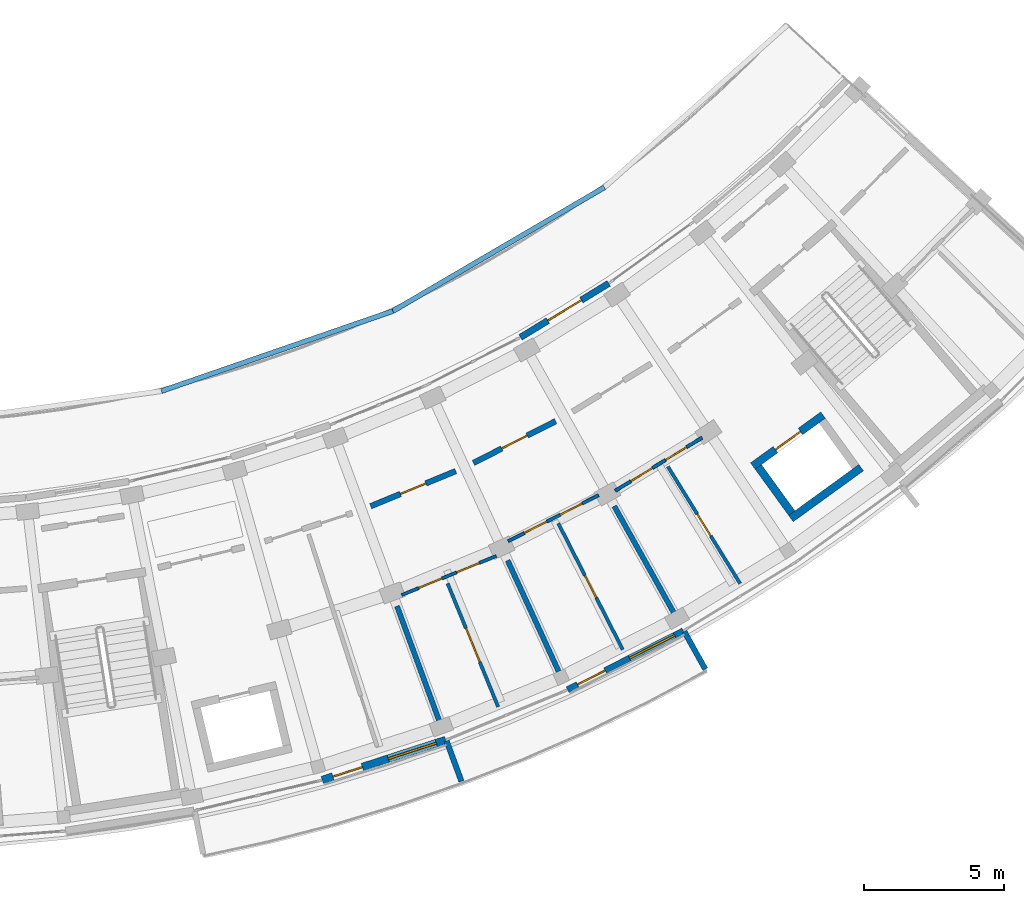
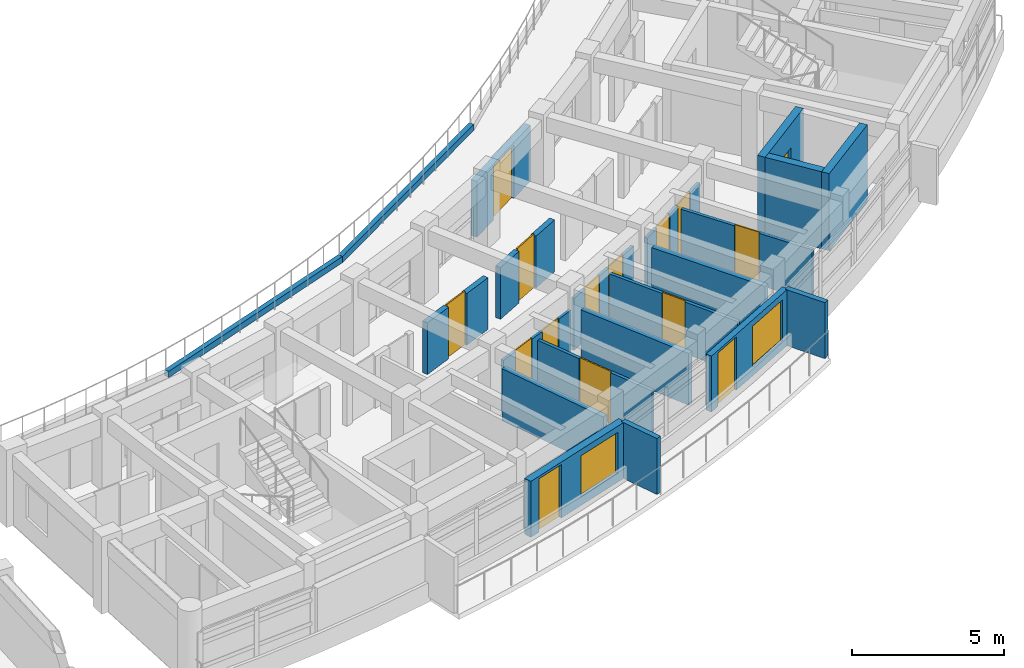
# One storey, part 38 of 54: 21 walls, 15 doors, 2 windows, 17 openings.
"""IFC4 building model written with IfcOpenShell, lengths in metres."""

from ifc_helpers import new_model, si_unit, direction, frame, frame_2d, origin, place, context, subcontext, project, spatial, rectangle, extrude, material, layer, layer_set, type_object, element, fill, save


model = new_model("IFC4")

# Units and contexts
model_context = context("Model", 3, precision=1e-05, world=origin(), true_north=direction((0.0, 1.0)))
body_context = subcontext(model_context, "Body", "Model", "MODEL_VIEW")
ifc_project = project(units=[si_unit("LENGTHUNIT", "METRE"), si_unit("AREAUNIT", "SQUARE_METRE"), si_unit("VOLUMEUNIT", "CUBIC_METRE"), si_unit("PLANEANGLEUNIT", "RADIAN"), si_unit("MASSUNIT", "GRAM", prefix="KILO")], contexts=[model_context])

# Site, building, storey
site_placement = place(None, origin())
site = spatial("IfcSite", under=ifc_project, at=site_placement, CompositionType="ELEMENT")
building_placement = place(site_placement, origin())
building = spatial("IfcBuilding", under=site, at=building_placement, Name="Zimvara Arc Housing Community", CompositionType="ELEMENT")
storey_placement = place(building_placement, frame((0.0, 0.0, 20.5)))
storey = spatial("IfcBuildingStorey", under=building, at=storey_placement, Name="L06", CompositionType="ELEMENT", Elevation=20.5)

# Wall, openings, door, window
ifc_material_1 = material(Name="Board-Marked Fair-Faced Concrete C35/45", Category="concrete")
ifc_layer_1 = layer(ifc_material_1, 0.219970703125)
ifc_layer_set_1 = layer_set([ifc_layer_1], Name="Board-Marked Fair-Faced Concrete C35/45")
wall_type_1 = type_object("IfcWallType", Name="EWL-CONC-220", PredefinedType="SOLIDWALL", material=ifc_layer_set_1)
wall_1_placement = place(storey_placement, frame((150.810791015625, 55.921875, 0.0), z_axis=(0.0, 0.0, 1.0), x_axis=(0.891407190547, 0.453203288428, 0.0)))
wall_1 = element("IfcWall", 1, at=wall_1_placement, inside=storey, type_object=wall_type_1, Name="ewall:blkD:L06:out:b5", PredefinedType="SOLIDWALL", context=body_context, shape_type="SweptSolid", body=[
    extrude(rectangle(XDim=4.62255859375, YDim=0.219970703125, at=frame_2d((2.311279296875, 0.0))), origin(), (0.0, 0.0, 1.0), 2.25),
])
opening_1_placement = place(wall_1_placement, frame((0.39990234375, 0.0, 0.0)))
opening_1 = element("IfcOpeningElement", 2, at=opening_1_placement, cuts=wall_1, Name="Opening ED06", PredefinedType="OPENING", context=body_context, shape_type="SweptSolid", body=[
    extrude(rectangle(XDim=1.10009765625, YDim=2.14990234375, at=frame_2d((0.550048828125, 1.074951171875))), frame((0.0, 0.119873046875, 0.0), z_axis=(0.0, -1.0, 0.0), x_axis=(1.0, 0.0, 0.0)), (0.0, 0.0, 1.0), 0.239990234375),
])
opening_2_placement = place(wall_1_placement, frame((2.472412109375, 0.0, 0.35009765625)))
opening_2 = element("IfcOpeningElement", 3, at=opening_2_placement, cuts=wall_1, Name="Opening W08", PredefinedType="OPENING", context=body_context, shape_type="SweptSolid", body=[
    extrude(rectangle(XDim=1.800048828125, YDim=1.64990234375, at=frame_2d((0.89990234375, 0.824951171875))), frame((0.0, 0.119873046875, 0.0), z_axis=(0.0, -1.0, 0.0), x_axis=(1.0, 0.0, 0.0)), (0.0, 0.0, 1.0), 0.239990234375),
])
ifc_material_2 = material(Name="Anodised Aluminium AW-6063", Category="aluminium")
door_type_1 = type_object("IfcDoorType", Name="EDR-TERR-1100x2150", OperationType="NOTDEFINED", PredefinedType="DOOR", material=ifc_material_2)
door_1_placement = place(opening_1_placement, origin())
door_1 = element("IfcDoor", 4, at=door_1_placement, inside=storey, type_object=door_type_1, Name="edoor:blkD:L06:bal_out:b5", OperationType="SINGLE_SWING_LEFT", OverallHeight=2.14990234375, OverallWidth=1.10009765625, PredefinedType="DOOR", context=body_context, shape_type="SweptSolid", body=[
    extrude(rectangle(XDim=1.10009765625, YDim=2.14990234375, at=frame_2d((0.550048828125, 1.074951171875))), frame((0.0, 0.02490234375, 0.0), z_axis=(0.0, -1.0, 0.0), x_axis=(1.0, 0.0, 0.0)), (0.0, 0.0, 1.0), 0.050048828125),
])
fill(opening_1, door_1)
ifc_material_3 = material(Name="Solar Control Low-E Double Glazing", Category="glass")
window_type = type_object("IfcWindowType", Name="WIN-RES-1800x1650", PartitioningType="TRIPLE_PANEL_VERTICAL", PredefinedType="WINDOW", material=ifc_material_3)
window_1_placement = place(opening_2_placement, origin())
window_1 = element("IfcWindow", 5, at=window_1_placement, inside=storey, type_object=window_type, Name="win:blkD:L06:out:b5:balw", OverallHeight=1.64990234375, OverallWidth=1.800048828125, PartitioningType="TRIPLE_PANEL_VERTICAL", PredefinedType="WINDOW", context=body_context, shape_type="SweptSolid", body=[
    extrude(rectangle(XDim=1.800048828125, YDim=1.64990234375, at=frame_2d((0.89990234375, 0.824951171875))), frame((0.0, 0.030029296875, 0.0), z_axis=(0.0, -1.0, 0.0), x_axis=(1.0, 0.0, 0.0)), (0.0, 0.0, 1.0), 0.06005859375),
])
fill(opening_2, window_1)

# Wall, opening, door
ifc_material_4 = material(Name="Board-Marked Fair-Faced Concrete C35/45", Category="concrete")
ifc_layer_2 = layer(ifc_material_4, 0.22998046875)
ifc_layer_set_2 = layer_set([ifc_layer_2], Name="Board-Marked Fair-Faced Concrete C35/45")
wall_type_2 = type_object("IfcWallType", Name="EWL-CONC-230", PredefinedType="SOLIDWALL", material=ifc_layer_set_2)
wall_2_placement = place(storey_placement, frame((149.13134765625, 68.4765625, 0.0), z_axis=(0.0, 0.0, 1.0), x_axis=(0.853122864819, 0.5217100512, 0.0)))
wall_2 = element("IfcWall", 6, at=wall_2_placement, inside=storey, type_object=wall_type_2, Name="ewall:blkD:L06:in:b6", PredefinedType="SOLIDWALL", context=body_context, shape_type="SweptSolid", body=[
    extrude(rectangle(XDim=3.683349609375, YDim=0.22998046875, at=frame_2d((1.841796875, 0.0))), origin(), (0.0, 0.0, 1.0), 2.25),
])
opening_3_placement = place(wall_2_placement, frame((1.1416015625, 0.0, 0.0)))
opening_3 = element("IfcOpeningElement", 7, at=opening_3_placement, cuts=wall_2, Name="Opening ED07", PredefinedType="OPENING", context=body_context, shape_type="SweptSolid", body=[
    extrude(rectangle(XDim=1.39990234375, YDim=2.14990234375, at=frame_2d((0.699951171875, 1.074951171875))), frame((0.0, 0.125, 0.0), z_axis=(0.0, -1.0, 0.0), x_axis=(1.0, 0.0, 0.0)), (0.0, 0.0, 1.0), 0.25),
])
ifc_material_5 = material(Name="Anodised Aluminium AW-6063", Category="aluminium")
door_type_2 = type_object("IfcDoorType", Name="EDR-TERR-1400x2150", OperationType="DOUBLE_DOOR_SINGLE_SWING", PredefinedType="DOOR", material=ifc_material_5)
door_2_placement = place(opening_3_placement, origin())
door_2 = element("IfcDoor", 8, at=door_2_placement, inside=storey, type_object=door_type_2, Name="edoor:blkD:L06:terr:b6", OperationType="DOUBLE_DOOR_SINGLE_SWING", OverallHeight=2.14990234375, OverallWidth=1.39990234375, PredefinedType="DOOR", context=body_context, shape_type="SweptSolid", body=[
    extrude(rectangle(XDim=1.39990234375, YDim=2.14990234375, at=frame_2d((0.699951171875, 1.074951171875))), frame((0.0, 0.02490234375, 0.0), z_axis=(0.0, -1.0, 0.0), x_axis=(1.0, 0.0, 0.0)), (0.0, 0.0, 1.0), 0.050048828125),
])
fill(opening_3, door_2)

# Walls
ifc_material_6 = material(Name="Board-Marked Fair-Faced Concrete C35/45", Category="concrete")
ifc_layer_3 = layer(ifc_material_6, 0.179931640625)
ifc_layer_set_3 = layer_set([ifc_layer_3], Name="Board-Marked Fair-Faced Concrete C35/45")
wall_type_3 = type_object("IfcWallType", Name="EWL-PARA-180", PredefinedType="PARAPET", material=ifc_layer_set_3)
wall_3_placement = place(storey_placement, frame((136.335205078125, 66.56103515625, 0.0), z_axis=(0.0, 0.0, 1.0), x_axis=(0.945088129205, 0.326815587199, 0.0)))
element("IfcWall", 9, at=wall_3_placement, inside=storey, type_object=wall_type_3, Name="parapet:blkD:L06:p5", PredefinedType="PARAPET", context=body_context, shape_type="SweptSolid", body=[
    extrude(rectangle(XDim=8.7275390625, YDim=0.179931640625, at=frame_2d((4.36376953125, 0.0))), origin(), (0.0, 0.0, 1.0), 0.25),
])
wall_4_placement = place(storey_placement, frame((144.58349609375, 69.413330078125, 0.0), z_axis=(0.0, 0.0, 1.0), x_axis=(0.863173571148, 0.504907304435, 0.0)))
element("IfcWall", 10, at=wall_4_placement, inside=storey, type_object=wall_type_3, Name="parapet:blkD:L06:p10", PredefinedType="PARAPET", context=body_context, shape_type="SweptSolid", body=[
    extrude(rectangle(XDim=8.727294921875, YDim=0.179931640625, at=frame_2d((4.36376953125, 0.0))), origin(), (0.0, 0.0, 1.0), 0.25),
])
ifc_material_7 = material(Name="Board-Marked Fair-Faced Concrete C35/45", Category="concrete")
ifc_layer_4 = layer(ifc_material_7, 0.195068359375)
ifc_layer_set_4 = layer_set([ifc_layer_4], Name="Board-Marked Fair-Faced Concrete C35/45")
wall_type_4 = type_object("IfcWallType", Name="EWL-PARA-195", PredefinedType="PARAPET", material=ifc_layer_set_4)
for number, where, z_axis, x_axis, name in (
    (11, (146.49755859375, 54.0947265625, 0.0), (0.0, 0.0, 1.0), (0.345328180406, -0.938481991206, 0.0), "finwall:blkD:L06:out:b4"),
    (12, (154.968505859375, 57.990966796875, 0.0), (0.0, 0.0, 1.0), (0.487971560724, -0.872859528175, 0.0), "finwall:blkD:L06:out:b6"),
):
    element("IfcWall", number, at=place(storey_placement, frame(where, z_axis=z_axis, x_axis=x_axis)), inside=storey, type_object=wall_type_4, Name=name, PredefinedType="PARAPET", context=body_context, shape_type="SweptSolid", body=[
        extrude(rectangle(XDim=1.530029296875, YDim=0.195068359375, at=frame_2d((0.76513671875, 0.0))), origin(), (0.0, 0.0, 1.0), 2.25),
    ])

# Wall, openings, door, window
ifc_material_8 = material(Name="Board-Marked Fair-Faced Concrete C35/45", Category="concrete")
ifc_layer_5 = layer(ifc_material_8, 0.278076171875)
ifc_layer_set_5 = layer_set([ifc_layer_5], Name="Board-Marked Fair-Faced Concrete C35/45")
wall_type_5 = type_object("IfcWallType", Name="EWL-VAR-23", PredefinedType="SOLIDWALL", material=ifc_layer_set_5)
wall_5_placement = place(storey_placement, frame((142.0673828125, 52.701416015625, 0.0), z_axis=(0.0, 0.0, 1.0), x_axis=(0.951311584867, 0.308230868826, 0.0)))
wall_5 = element("IfcWall", 13, at=wall_5_placement, inside=storey, type_object=wall_type_5, Name="ewall:blkD:L06:out:b3", PredefinedType="SOLIDWALL", context=body_context, shape_type="SweptSolid", body=[
    extrude(rectangle(XDim=4.62255859375, YDim=0.278076171875, at=frame_2d((2.311279296875, 0.0))), origin(), (0.0, 0.0, 1.0), 2.25),
])
opening_4_placement = place(wall_5_placement, frame((0.39990234375, 0.0, 0.0)))
opening_4 = element("IfcOpeningElement", 14, at=opening_4_placement, cuts=wall_5, Name="Opening ED06", PredefinedType="OPENING", context=body_context, shape_type="SweptSolid", body=[
    extrude(rectangle(XDim=1.10009765625, YDim=2.14990234375, at=frame_2d((0.550048828125, 1.074951171875))), frame((0.0, 0.14892578125, 0.0), z_axis=(0.0, -1.0, 0.0), x_axis=(1.0, 0.0, 0.0)), (0.0, 0.0, 1.0), 0.298095703125),
])
opening_5_placement = place(wall_5_placement, frame((2.472412109375, 0.0, 0.35009765625)))
opening_5 = element("IfcOpeningElement", 15, at=opening_5_placement, cuts=wall_5, Name="Opening W08", PredefinedType="OPENING", context=body_context, shape_type="SweptSolid", body=[
    extrude(rectangle(XDim=1.800048828125, YDim=1.64990234375, at=frame_2d((0.89990234375, 0.824951171875))), frame((0.0, 0.14892578125, 0.0), z_axis=(0.0, -1.0, 0.0), x_axis=(1.0, 0.0, 0.0)), (0.0, 0.0, 1.0), 0.298095703125),
])
door_3_placement = place(opening_4_placement, origin())
door_3 = element("IfcDoor", 16, at=door_3_placement, inside=storey, type_object=door_type_1, Name="edoor:blkD:L06:bal_out:b3", OperationType="SINGLE_SWING_LEFT", OverallHeight=2.14990234375, OverallWidth=1.10009765625, PredefinedType="DOOR", context=body_context, shape_type="SweptSolid", body=[
    extrude(rectangle(XDim=1.10009765625, YDim=2.14990234375, at=frame_2d((0.550048828125, 1.074951171875))), frame((0.0, 0.02490234375, 0.0), z_axis=(0.0, -1.0, 0.0), x_axis=(1.0, 0.0, 0.0)), (0.0, 0.0, 1.0), 0.050048828125),
])
fill(opening_4, door_3)
window_2_placement = place(opening_5_placement, origin())
window_2 = element("IfcWindow", 17, at=window_2_placement, inside=storey, type_object=window_type, Name="win:blkD:L06:out:b3:balw", OverallHeight=1.64990234375, OverallWidth=1.800048828125, PartitioningType="TRIPLE_PANEL_VERTICAL", PredefinedType="WINDOW", context=body_context, shape_type="SweptSolid", body=[
    extrude(rectangle(XDim=1.800048828125, YDim=1.64990234375, at=frame_2d((0.89990234375, 0.824951171875))), frame((0.0, 0.030029296875, 0.0), z_axis=(0.0, -1.0, 0.0), x_axis=(1.0, 0.0, 0.0)), (0.0, 0.0, 1.0), 0.06005859375),
])
fill(opening_5, window_2)

# Wall, opening, door
ifc_material_9 = material(Name="Concrete C35/45", Category="concrete")
ifc_layer_6 = layer(ifc_material_9, 0.199951171875)
ifc_layer_set_6 = layer_set([ifc_layer_6], Name="Concrete C35/45")
wall_type_6 = type_object("IfcWallType", Name="IWL-CORR-200", PredefinedType="SOLIDWALL", material=ifc_layer_set_6)
wall_6_placement = place(storey_placement, frame((143.792724609375, 62.458984375, 0.0), z_axis=(0.0, 0.0, 1.0), x_axis=(0.924214561665, 0.381873596896, 0.0)))
wall_6 = element("IfcWall", 18, at=wall_6_placement, inside=storey, type_object=wall_type_6, Name="iwall:blkD:L06:corr_out:b4", PredefinedType="SOLIDWALL", context=body_context, shape_type="SweptSolid", body=[
    extrude(rectangle(XDim=3.277099609375, YDim=0.199951171875, at=frame_2d((1.638671875, 0.0))), origin(), (0.0, 0.0, 1.0), 2.080078125),
])
opening_6_placement = place(wall_6_placement, frame((1.1484375, 0.0, 0.0)))
opening_6 = element("IfcOpeningElement", 19, at=opening_6_placement, cuts=wall_6, Name="Opening FD-FL1", PredefinedType="OPENING", context=body_context, shape_type="SweptSolid", body=[
    extrude(rectangle(XDim=0.97998046875, YDim=2.14990234375, at=frame_2d((0.489990234375, 1.074951171875))), frame((0.0, 0.10986328125, 0.0), z_axis=(0.0, -1.0, 0.0), x_axis=(1.0, 0.0, 0.0)), (0.0, 0.0, 1.0), 0.219970703125),
])
ifc_material_10 = material(Name="Mozambican Hardwood", Category="wood")
door_type_3 = type_object("IfcDoorType", Name="IDR-FLAT-0980x2150", OperationType="NOTDEFINED", PredefinedType="DOOR", material=ifc_material_10)
door_4_placement = place(opening_6_placement, origin())
door_4 = element("IfcDoor", 20, at=door_4_placement, inside=storey, type_object=door_type_3, Name="idoor:blkD:L06:flat:b4", OperationType="SINGLE_SWING_RIGHT", OverallHeight=2.14990234375, OverallWidth=0.97998046875, PredefinedType="DOOR", context=body_context, shape_type="SweptSolid", body=[
    extrude(rectangle(XDim=0.97998046875, YDim=2.14990234375, at=frame_2d((0.489990234375, 1.074951171875))), frame((0.0, 0.02490234375, 0.0), z_axis=(0.0, -1.0, 0.0), x_axis=(1.0, 0.0, 0.0)), (0.0, 0.0, 1.0), 0.050048828125),
])
fill(opening_6, door_4)

wall_7_placement = place(storey_placement, frame((147.45703125, 64.002685546875, 0.0), z_axis=(0.0, 0.0, 1.0), x_axis=(0.891412167565, 0.45319349898, 0.0)))
wall_7 = element("IfcWall", 21, at=wall_7_placement, inside=storey, type_object=wall_type_6, Name="iwall:blkD:L06:corr_out:b5", PredefinedType="SOLIDWALL", context=body_context, shape_type="SweptSolid", body=[
    extrude(rectangle(XDim=3.277099609375, YDim=0.199951171875, at=frame_2d((1.638671875, 0.0))), origin(), (0.0, 0.0, 1.0), 2.080078125),
])
opening_7_placement = place(wall_7_placement, frame((1.12841796875, 0.0, 0.0)))
opening_7 = element("IfcOpeningElement", 22, at=opening_7_placement, cuts=wall_7, Name="Opening FD-FL2", PredefinedType="OPENING", context=body_context, shape_type="SweptSolid", body=[
    extrude(rectangle(XDim=1.02001953125, YDim=2.14990234375, at=frame_2d((0.510009765625, 1.074951171875))), frame((0.0, 0.10986328125, 0.0), z_axis=(0.0, -1.0, 0.0), x_axis=(1.0, 0.0, 0.0)), (0.0, 0.0, 1.0), 0.219970703125),
])
ifc_material_11 = material(Name="Mozambican Hardwood", Category="wood")
door_type_4 = type_object("IfcDoorType", Name="IDR-FLAT-1020x2150", OperationType="NOTDEFINED", PredefinedType="DOOR", material=ifc_material_11)
door_5_placement = place(opening_7_placement, origin())
door_5 = element("IfcDoor", 23, at=door_5_placement, inside=storey, type_object=door_type_4, Name="idoor:blkD:L06:flat:b5", OperationType="SINGLE_SWING_RIGHT", OverallHeight=2.14990234375, OverallWidth=1.02001953125, PredefinedType="DOOR", context=body_context, shape_type="SweptSolid", body=[
    extrude(rectangle(XDim=1.02001953125, YDim=2.14990234375, at=frame_2d((0.510009765625, 1.074951171875))), frame((0.0, 0.02490234375, 0.0), z_axis=(0.0, -1.0, 0.0), x_axis=(1.0, 0.0, 0.0)), (0.0, 0.0, 1.0), 0.050048828125),
])
fill(opening_7, door_5)

# Walls
ifc_material_12 = material(Name="Concrete C35/45", Category="concrete")
ifc_layer_7 = layer(ifc_material_12, 0.18505859375)
ifc_layer_set_7 = layer_set([ifc_layer_7], Name="Concrete C35/45")
wall_type_7 = type_object("IfcWallType", Name="IWL-FLAT-185", PredefinedType="SOLIDWALL", material=ifc_layer_set_7)
for number, where, z_axis, x_axis, name in (
    (24, (144.729736328125, 58.89990234375, 0.0), (0.0, 0.0, 1.0), (0.345273579683, -0.938502080537, 0.0), "iwall:blkD:L06:party:b4"),
    (25, (148.670166015625, 60.528076171875, 0.0), (0.0, 0.0, 1.0), (0.417837051164, -0.908521985796, 0.0), "iwall:blkD:L06:party:b5"),
    (26, (152.470703125, 62.46044921875, 0.0), (0.0, 0.0, 1.0), (0.487866639184, -0.872918176218, 0.0), "iwall:blkD:L06:party:b6"),
):
    element("IfcWall", number, at=place(storey_placement, frame(where, z_axis=z_axis, x_axis=x_axis)), inside=storey, type_object=wall_type_7, Name=name, PredefinedType="SOLIDWALL", context=body_context, shape_type="SweptSolid", body=[
        extrude(rectangle(XDim=4.35009765625, YDim=0.18505859375, at=frame_2d((2.175048828125, 0.0))), origin(), (0.0, 0.0, 1.0), 2.080078125),
    ])

# Wall, openings, doors
ifc_material_13 = material(Name="Painted Acoustic Plasterboard")
ifc_layer_8 = layer(ifc_material_13, 0.10498046875)
ifc_layer_set_8 = layer_set([ifc_layer_8], Name="Painted Acoustic Plasterboard")
wall_type_8 = type_object("IfcWallType", Name="IWL-PART-105", PredefinedType="PARTITIONING", material=ifc_layer_set_8)
wall_8_placement = place(storey_placement, frame((144.9033203125, 59.2958984375, 0.0), z_axis=(0.0, 0.0, 1.0), x_axis=(0.924207914011, 0.381889685223, 0.0)))
wall_8 = element("IfcWall", 27, at=wall_8_placement, inside=storey, type_object=wall_type_8, Name="iwall:blkD:L06:srv:b4", PredefinedType="PARTITIONING", context=body_context, shape_type="SweptSolid", body=[
    extrude(rectangle(XDim=3.64013671875, YDim=0.10498046875, at=frame_2d((1.820068359375, 0.0))), origin(), (0.0, 0.0, 1.0), 2.080078125),
])
opening_8_placement = place(wall_8_placement, frame((0.64990234375, 0.0, 0.0)))
opening_8 = element("IfcOpeningElement", 28, at=opening_8_placement, cuts=wall_8, Name="Opening D01", PredefinedType="OPENING", context=body_context, shape_type="SweptSolid", body=[
    extrude(rectangle(XDim=0.89990234375, YDim=2.10009765625, at=frame_2d((0.449951171875, 1.050048828125))), frame((0.0, 0.0625, 0.0), z_axis=(0.0, -1.0, 0.0), x_axis=(1.0, 0.0, 0.0)), (0.0, 0.0, 1.0), 0.125),
])
opening_9_placement = place(wall_8_placement, frame((2.110107421875, 0.0, 0.0)))
opening_9 = element("IfcOpeningElement", 29, at=opening_9_placement, cuts=wall_8, Name="Opening D05", PredefinedType="OPENING", context=body_context, shape_type="SweptSolid", body=[
    extrude(rectangle(XDim=0.8798828125, YDim=2.10009765625, at=frame_2d((0.43994140625, 1.050048828125))), frame((0.0, 0.0625, 0.0), z_axis=(0.0, -1.0, 0.0), x_axis=(1.0, 0.0, 0.0)), (0.0, 0.0, 1.0), 0.125),
])
ifc_material_14 = material(Name="Mozambican Hardwood", Category="wood")
door_type_5 = type_object("IfcDoorType", Name="IDR-RM-0900x2100", OperationType="NOTDEFINED", PredefinedType="DOOR", material=ifc_material_14)
door_6_placement = place(opening_8_placement, origin())
door_6 = element("IfcDoor", 30, at=door_6_placement, inside=storey, type_object=door_type_5, Name="idoor:blkD:L06:kit_liv:b4", OperationType="SINGLE_SWING_LEFT", OverallHeight=2.10009765625, OverallWidth=0.89990234375, PredefinedType="DOOR", context=body_context, shape_type="SweptSolid", body=[
    extrude(rectangle(XDim=0.89990234375, YDim=2.10009765625, at=frame_2d((0.449951171875, 1.050048828125))), frame((0.0, 0.02490234375, 0.0), z_axis=(0.0, -1.0, 0.0), x_axis=(1.0, 0.0, 0.0)), (0.0, 0.0, 1.0), 0.050048828125),
])
fill(opening_8, door_6)
ifc_material_15 = material(Name="Mozambican Hardwood", Category="wood")
door_type_6 = type_object("IfcDoorType", Name="IDR-WC-0880x2100", OperationType="NOTDEFINED", PredefinedType="DOOR", material=ifc_material_15)
door_7_placement = place(opening_9_placement, origin())
door_7 = element("IfcDoor", 31, at=door_7_placement, inside=storey, type_object=door_type_6, Name="idoor:blkD:L06:bath_d:b4", OperationType="SINGLE_SWING_RIGHT", OverallHeight=2.10009765625, OverallWidth=0.8798828125, PredefinedType="DOOR", context=body_context, shape_type="SweptSolid", body=[
    extrude(rectangle(XDim=0.8798828125, YDim=2.10009765625, at=frame_2d((0.43994140625, 1.050048828125))), frame((0.0, 0.02490234375, 0.0), z_axis=(0.0, -1.0, 0.0), x_axis=(1.0, 0.0, 0.0)), (0.0, 0.0, 1.0), 0.050048828125),
])
fill(opening_9, door_7)

ifc_material_16 = material(Name="Painted Acoustic Plasterboard")
ifc_layer_9 = layer(ifc_material_16, 0.110107421875)
ifc_layer_set_9 = layer_set([ifc_layer_9], Name="Painted Acoustic Plasterboard")
wall_type_9 = type_object("IfcWallType", Name="IWL-PART-110", PredefinedType="PARTITIONING", material=ifc_layer_set_9)
wall_9_placement = place(storey_placement, frame((148.686767578125, 61.208984375, 0.0), z_axis=(0.0, 0.0, 1.0), x_axis=(0.891396224028, 0.453224857866, 0.0)))
wall_9 = element("IfcWall", 32, at=wall_9_placement, inside=storey, type_object=wall_type_9, Name="iwall:blkD:L06:srv:b5", PredefinedType="PARTITIONING", context=body_context, shape_type="SweptSolid", body=[
    extrude(rectangle(XDim=3.61669921875, YDim=0.110107421875, at=frame_2d((1.808349609375, 0.0))), origin(), (0.0, 0.0, 1.0), 2.080078125),
])
opening_10_placement = place(wall_9_placement, frame((0.64990234375, 0.0, 0.0)))
opening_10 = element("IfcOpeningElement", 33, at=opening_10_placement, cuts=wall_9, Name="Opening D01", PredefinedType="OPENING", context=body_context, shape_type="SweptSolid", body=[
    extrude(rectangle(XDim=0.89990234375, YDim=2.10009765625, at=frame_2d((0.449951171875, 1.050048828125))), frame((0.0, 0.06494140625, 0.0), z_axis=(0.0, -1.0, 0.0), x_axis=(1.0, 0.0, 0.0)), (0.0, 0.0, 1.0), 0.130126953125),
])
opening_11_placement = place(wall_9_placement, frame((2.08642578125, 0.0, 0.0)))
opening_11 = element("IfcOpeningElement", 34, at=opening_11_placement, cuts=wall_9, Name="Opening D05", PredefinedType="OPENING", context=body_context, shape_type="SweptSolid", body=[
    extrude(rectangle(XDim=0.8798828125, YDim=2.10009765625, at=frame_2d((0.43994140625, 1.050048828125))), frame((0.0, 0.06494140625, 0.0), z_axis=(0.0, -1.0, 0.0), x_axis=(1.0, 0.0, 0.0)), (0.0, 0.0, 1.0), 0.130126953125),
])
door_8_placement = place(opening_10_placement, origin())
door_8 = element("IfcDoor", 35, at=door_8_placement, inside=storey, type_object=door_type_5, Name="idoor:blkD:L06:kit_liv:b5", OperationType="SINGLE_SWING_LEFT", OverallHeight=2.10009765625, OverallWidth=0.89990234375, PredefinedType="DOOR", context=body_context, shape_type="SweptSolid", body=[
    extrude(rectangle(XDim=0.89990234375, YDim=2.10009765625, at=frame_2d((0.449951171875, 1.050048828125))), frame((0.0, 0.02490234375, 0.0), z_axis=(0.0, -1.0, 0.0), x_axis=(1.0, 0.0, 0.0)), (0.0, 0.0, 1.0), 0.050048828125),
])
fill(opening_10, door_8)
door_9_placement = place(opening_11_placement, origin())
door_9 = element("IfcDoor", 36, at=door_9_placement, inside=storey, type_object=door_type_6, Name="idoor:blkD:L06:bath_d:b5", OperationType="SINGLE_SWING_RIGHT", OverallHeight=2.10009765625, OverallWidth=0.8798828125, PredefinedType="DOOR", context=body_context, shape_type="SweptSolid", body=[
    extrude(rectangle(XDim=0.8798828125, YDim=2.10009765625, at=frame_2d((0.43994140625, 1.050048828125))), frame((0.0, 0.02490234375, 0.0), z_axis=(0.0, -1.0, 0.0), x_axis=(1.0, 0.0, 0.0)), (0.0, 0.0, 1.0), 0.050048828125),
])
fill(opening_11, door_9)

ifc_material_17 = material(Name="Painted Acoustic Plasterboard")
ifc_layer_10 = layer(ifc_material_17, 0.114990234375)
ifc_layer_set_10 = layer_set([ifc_layer_10], Name="Painted Acoustic Plasterboard")
wall_type_10 = type_object("IfcWallType", Name="IWL-PART-115", PredefinedType="PARTITIONING", material=ifc_layer_set_10)
wall_10_placement = place(storey_placement, frame((152.507080078125, 63.009765625, 0.0), z_axis=(0.0, 0.0, 1.0), x_axis=(0.853110474662, 0.521730311581, 0.0)))
wall_10 = element("IfcWall", 37, at=wall_10_placement, inside=storey, type_object=wall_type_10, Name="iwall:blkD:L06:srv:b6", PredefinedType="PARTITIONING", context=body_context, shape_type="SweptSolid", body=[
    extrude(rectangle(XDim=3.62841796875, YDim=0.114990234375, at=frame_2d((1.814208984375, 0.0))), origin(), (0.0, 0.0, 1.0), 2.080078125),
])
opening_12_placement = place(wall_10_placement, frame((0.64990234375, 0.0, 0.0)))
opening_12 = element("IfcOpeningElement", 38, at=opening_12_placement, cuts=wall_10, Name="Opening D01", PredefinedType="OPENING", context=body_context, shape_type="SweptSolid", body=[
    extrude(rectangle(XDim=0.89990234375, YDim=2.10009765625, at=frame_2d((0.449951171875, 1.050048828125))), frame((0.0, 0.0673828125, 0.0), z_axis=(0.0, -1.0, 0.0), x_axis=(1.0, 0.0, 0.0)), (0.0, 0.0, 1.0), 0.135009765625),
])
opening_13_placement = place(wall_10_placement, frame((2.098388671875, 0.0, 0.0)))
opening_13 = element("IfcOpeningElement", 39, at=opening_13_placement, cuts=wall_10, Name="Opening D05", PredefinedType="OPENING", context=body_context, shape_type="SweptSolid", body=[
    extrude(rectangle(XDim=0.8798828125, YDim=2.10009765625, at=frame_2d((0.43994140625, 1.050048828125))), frame((0.0, 0.0673828125, 0.0), z_axis=(0.0, -1.0, 0.0), x_axis=(1.0, 0.0, 0.0)), (0.0, 0.0, 1.0), 0.135009765625),
])
door_10_placement = place(opening_12_placement, origin())
door_10 = element("IfcDoor", 40, at=door_10_placement, inside=storey, type_object=door_type_5, Name="idoor:blkD:L06:kit_liv:b6", OperationType="SINGLE_SWING_LEFT", OverallHeight=2.10009765625, OverallWidth=0.89990234375, PredefinedType="DOOR", context=body_context, shape_type="SweptSolid", body=[
    extrude(rectangle(XDim=0.89990234375, YDim=2.10009765625, at=frame_2d((0.449951171875, 1.050048828125))), frame((0.0, 0.02490234375, 0.0), z_axis=(0.0, -1.0, 0.0), x_axis=(1.0, 0.0, 0.0)), (0.0, 0.0, 1.0), 0.050048828125),
])
fill(opening_12, door_10)
door_11_placement = place(opening_13_placement, origin())
door_11 = element("IfcDoor", 41, at=door_11_placement, inside=storey, type_object=door_type_6, Name="idoor:blkD:L06:bath_d:b6", OperationType="SINGLE_SWING_RIGHT", OverallHeight=2.10009765625, OverallWidth=0.8798828125, PredefinedType="DOOR", context=body_context, shape_type="SweptSolid", body=[
    extrude(rectangle(XDim=0.8798828125, YDim=2.10009765625, at=frame_2d((0.43994140625, 1.050048828125))), frame((0.0, 0.02490234375, 0.0), z_axis=(0.0, -1.0, 0.0), x_axis=(1.0, 0.0, 0.0)), (0.0, 0.0, 1.0), 0.050048828125),
])
fill(opening_13, door_11)

# Wall, opening, door
ifc_material_18 = material(Name="Painted Acoustic Plasterboard")
ifc_layer_11 = layer(ifc_material_18, 0.1201171875)
ifc_layer_set_11 = layer_set([ifc_layer_11], Name="Painted Acoustic Plasterboard")
wall_type_11 = type_object("IfcWallType", Name="IWL-PART-120", PredefinedType="PARTITIONING", material=ifc_layer_set_11)
wall_11_placement = place(storey_placement, frame((146.532958984375, 59.7080078125, 0.0), z_axis=(0.0, 0.0, 1.0), x_axis=(0.379167145653, -0.925328198888, 0.0)))
wall_11 = element("IfcWall", 42, at=wall_11_placement, inside=storey, type_object=wall_type_11, Name="iwall:blkD:L06:bed_div:b4", PredefinedType="PARTITIONING", context=body_context, shape_type="SweptSolid", body=[
    extrude(rectangle(XDim=4.75, YDim=0.1201171875, at=frame_2d((2.375, 0.0))), origin(), (0.0, 0.0, 1.0), 2.080078125),
])
opening_14_placement = place(wall_11_placement, frame((1.72509765625, 0.0, 0.0)))
opening_14 = element("IfcOpeningElement", 43, at=opening_14_placement, cuts=wall_11, Name="Opening D20", PredefinedType="OPENING", context=body_context, shape_type="SweptSolid", body=[
    extrude(rectangle(XDim=1.300048828125, YDim=2.10009765625, at=frame_2d((0.64990234375, 1.050048828125))), frame((0.0, 0.070068359375, 0.0), z_axis=(0.0, -1.0, 0.0), x_axis=(1.0, 0.0, 0.0)), (0.0, 0.0, 1.0), 0.14013671875),
])
ifc_material_19 = material(Name="Mozambican Hardwood", Category="wood")
door_type_7 = type_object("IfcDoorType", Name="IDR-MOD-1300x2240", OperationType="NOTDEFINED", PredefinedType="DOOR", material=ifc_material_19)
door_12_placement = place(opening_14_placement, origin())
door_12 = element("IfcDoor", 44, at=door_12_placement, inside=storey, type_object=door_type_7, Name="idoor:blkD:L06:bed_d:b4", OperationType="SINGLE_SWING_LEFT", OverallHeight=2.10009765625, OverallWidth=1.300048828125, PredefinedType="DOOR", context=body_context, shape_type="SweptSolid", body=[
    extrude(rectangle(XDim=1.300048828125, YDim=2.10009765625, at=frame_2d((0.64990234375, 1.050048828125))), frame((0.0, 0.02490234375, 0.0), z_axis=(0.0, -1.0, 0.0), x_axis=(1.0, 0.0, 0.0)), (0.0, 0.0, 1.0), 0.050048828125),
])
fill(opening_14, door_12)

wall_12_placement = place(storey_placement, frame((150.4775390625, 61.848876953125, 0.0), z_axis=(0.0, 0.0, 1.0), x_axis=(0.454489129902, -0.890752283635, 0.0)))
wall_12 = element("IfcWall", 45, at=wall_12_placement, inside=storey, type_object=wall_type_11, Name="iwall:blkD:L06:bed_div:b5", PredefinedType="PARTITIONING", context=body_context, shape_type="SweptSolid", body=[
    extrude(rectangle(XDim=5.050048828125, YDim=0.1201171875, at=frame_2d((2.52490234375, 0.0))), origin(), (0.0, 0.0, 1.0), 2.080078125),
])
opening_15_placement = place(wall_12_placement, frame((2.074951171875, 0.0, 0.0)))
opening_15 = element("IfcOpeningElement", 46, at=opening_15_placement, cuts=wall_12, Name="Opening D01", PredefinedType="OPENING", context=body_context, shape_type="SweptSolid", body=[
    extrude(rectangle(XDim=0.89990234375, YDim=2.10009765625, at=frame_2d((0.449951171875, 1.050048828125))), frame((0.0, 0.070068359375, 0.0), z_axis=(0.0, -1.0, 0.0), x_axis=(1.0, 0.0, 0.0)), (0.0, 0.0, 1.0), 0.14013671875),
])
door_13_placement = place(opening_15_placement, origin())
door_13 = element("IfcDoor", 47, at=door_13_placement, inside=storey, type_object=door_type_5, Name="idoor:blkD:L06:bed_d:b5", OperationType="SINGLE_SWING_LEFT", OverallHeight=2.10009765625, OverallWidth=0.89990234375, PredefinedType="DOOR", context=body_context, shape_type="SweptSolid", body=[
    extrude(rectangle(XDim=0.89990234375, YDim=2.10009765625, at=frame_2d((0.449951171875, 1.050048828125))), frame((0.0, 0.02490234375, 0.0), z_axis=(0.0, -1.0, 0.0), x_axis=(1.0, 0.0, 0.0)), (0.0, 0.0, 1.0), 0.050048828125),
])
fill(opening_15, door_13)

wall_13_placement = place(storey_placement, frame((154.38037109375, 63.872802734375, 0.0), z_axis=(0.0, 0.0, 1.0), x_axis=(0.525458935368, -0.850818962672, 0.0)))
wall_13 = element("IfcWall", 48, at=wall_13_placement, inside=storey, type_object=wall_type_11, Name="iwall:blkD:L06:bed_div:b6", PredefinedType="PARTITIONING", context=body_context, shape_type="SweptSolid", body=[
    extrude(rectangle(XDim=4.89990234375, YDim=0.1201171875, at=frame_2d((2.449951171875, 0.0))), origin(), (0.0, 0.0, 1.0), 2.080078125),
])
opening_16_placement = place(wall_13_placement, frame((1.989990234375, 0.0, 0.0)))
opening_16 = element("IfcOpeningElement", 49, at=opening_16_placement, cuts=wall_13, Name="Opening D02", PredefinedType="OPENING", context=body_context, shape_type="SweptSolid", body=[
    extrude(rectangle(XDim=0.919921875, YDim=2.10009765625, at=frame_2d((0.4599609375, 1.050048828125))), frame((0.0, 0.070068359375, 0.0), z_axis=(0.0, -1.0, 0.0), x_axis=(1.0, 0.0, 0.0)), (0.0, 0.0, 1.0), 0.14013671875),
])
ifc_material_20 = material(Name="Mozambican Hardwood", Category="wood")
door_type_8 = type_object("IfcDoorType", Name="IDR-RM-0920x2100", OperationType="NOTDEFINED", PredefinedType="DOOR", material=ifc_material_20)
door_14_placement = place(opening_16_placement, origin())
door_14 = element("IfcDoor", 50, at=door_14_placement, inside=storey, type_object=door_type_8, Name="idoor:blkD:L06:bed_d:b6", OperationType="SINGLE_SWING_LEFT", OverallHeight=2.10009765625, OverallWidth=0.919921875, PredefinedType="DOOR", context=body_context, shape_type="SweptSolid", body=[
    extrude(rectangle(XDim=0.919921875, YDim=2.10009765625, at=frame_2d((0.4599609375, 1.050048828125))), frame((0.0, 0.02490234375, 0.0), z_axis=(0.0, -1.0, 0.0), x_axis=(1.0, 0.0, 0.0)), (0.0, 0.0, 1.0), 0.050048828125),
])
fill(opening_16, door_14)

ifc_material_21 = material(Name="Concrete C40/50", Category="concrete")
ifc_layer_12 = layer(ifc_material_21, 0.280029296875)
ifc_layer_set_12 = layer_set([ifc_layer_12], Name="Concrete C40/50")
wall_type_12 = type_object("IfcWallType", Name="WL-CORE-280", PredefinedType="SHEAR", material=ifc_layer_set_12)
wall_14_placement = place(storey_placement, frame((157.408935546875, 63.890380859375, 0.0), z_axis=(0.0, 0.0, 1.0), x_axis=(0.809510936031, 0.587104798521, 0.0)))
wall_14 = element("IfcWall", 51, at=wall_14_placement, inside=storey, type_object=wall_type_12, Name="lwall:LP-D2:L06:front", PredefinedType="SHEAR", context=body_context, shape_type="SweptSolid", body=[
    extrude(rectangle(XDim=3.090087890625, YDim=0.280029296875, at=frame_2d((1.544921875, 0.0))), origin(), (0.0, 0.0, 1.0), 3.10009765625),
])
opening_17_placement = place(wall_14_placement, frame((0.9951171875, 0.0, 0.0)))
opening_17 = element("IfcOpeningElement", 52, at=opening_17_placement, cuts=wall_14, Name="Opening LD-LP-D2", PredefinedType="OPENING", context=body_context, shape_type="SweptSolid", body=[
    extrude(rectangle(XDim=1.10009765625, YDim=2.14990234375, at=frame_2d((0.550048828125, 1.074951171875))), frame((0.0, 0.14990234375, 0.0), z_axis=(0.0, -1.0, 0.0), x_axis=(1.0, 0.0, 0.0)), (0.0, 0.0, 1.0), 0.300048828125),
])
ifc_material_22 = material(Name="Anodised Aluminium AW-6063", Category="aluminium")
door_type_9 = type_object("IfcDoorType", Name="IDR-LD-1100x2150", OperationType="DOUBLE_DOOR_SLIDING", PredefinedType="DOOR", material=ifc_material_22)
door_15_placement = place(opening_17_placement, origin())
door_15 = element("IfcDoor", 53, at=door_15_placement, inside=storey, type_object=door_type_9, Name="Lift LP-D2 Sliding Landing Door L06", OperationType="DOUBLE_DOOR_SLIDING", OverallHeight=2.14990234375, OverallWidth=1.10009765625, PredefinedType="DOOR", context=body_context, shape_type="SweptSolid", body=[
    extrude(rectangle(XDim=1.10009765625, YDim=2.14990234375, at=frame_2d((0.550048828125, 1.074951171875))), frame((0.0, 0.02490234375, 0.0), z_axis=(0.0, -1.0, 0.0), x_axis=(1.0, 0.0, 0.0)), (0.0, 0.0, 1.0), 0.050048828125),
])
fill(opening_17, door_15)

# Walls
wall_15_placement = place(storey_placement, frame((158.76513671875, 62.0205078125, 0.0), z_axis=(0.0, 0.0, 1.0), x_axis=(0.809548485838, 0.587053020669, 0.0)))
element("IfcWall", 54, at=wall_15_placement, inside=storey, type_object=wall_type_12, Name="lwall:LP-D2:L06:back", PredefinedType="SHEAR", context=body_context, shape_type="SweptSolid", body=[
    extrude(rectangle(XDim=3.08984375, YDim=0.280029296875, at=frame_2d((1.544921875, 0.0))), origin(), (0.0, 0.0, 1.0), 3.10009765625),
])
wall_16_placement = place(storey_placement, frame((157.6044921875, 63.859375, 0.0), z_axis=(0.0, 0.0, 1.0), x_axis=(0.587127188998, -0.809494696671, 0.0)))
element("IfcWall", 55, at=wall_16_placement, inside=storey, type_object=wall_type_12, Name="lwall:LP-D2:L06:left", PredefinedType="SHEAR", context=body_context, shape_type="SweptSolid", body=[
    extrude(rectangle(XDim=2.030029296875, YDim=0.280029296875, at=frame_2d((1.01513671875, 0.0))), origin(), (0.0, 0.0, 1.0), 3.10009765625),
])

save(model, "model.ifc")
